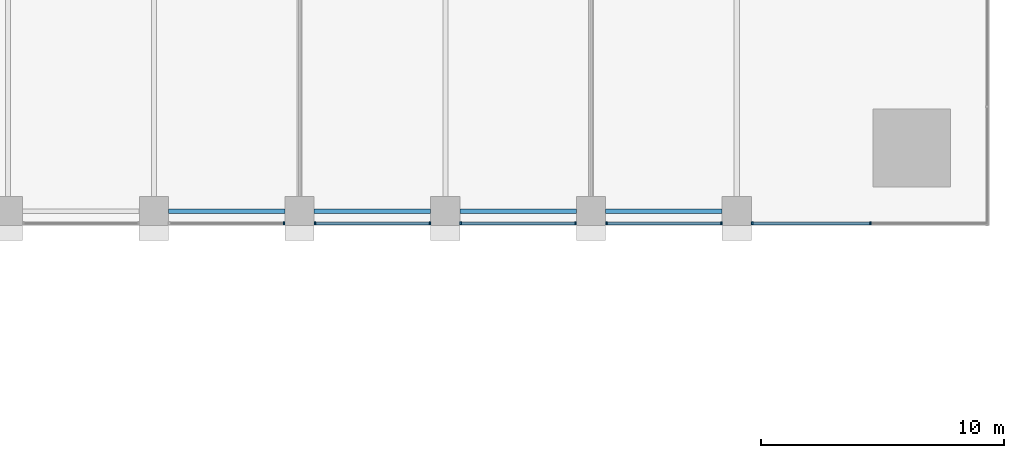
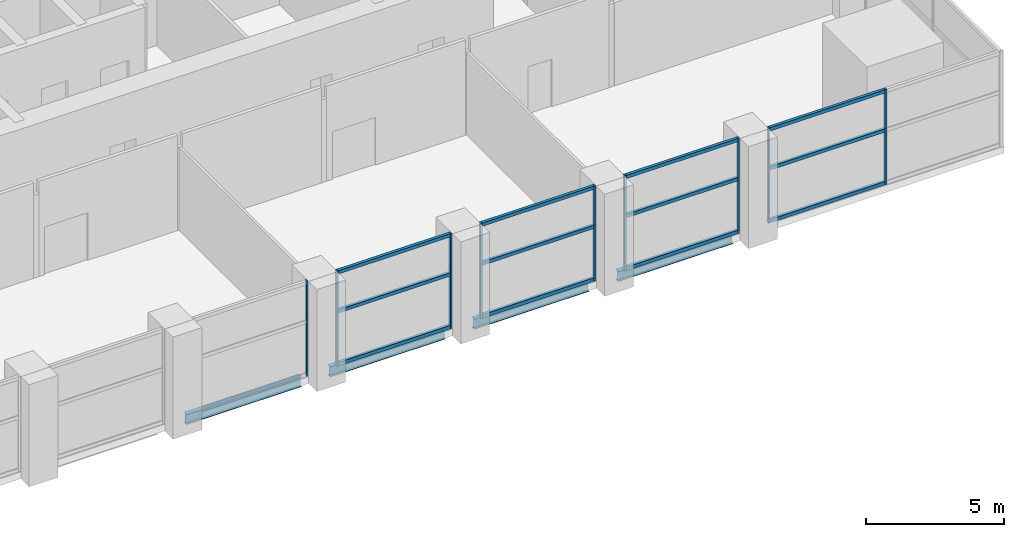
# One storey, part 4 of 25: 21 members, 4 beams, 5 elements without a shape of their own.
"""IFC4 building model written with IfcOpenShell, lengths in metres."""

from ifc_helpers import new_model, si_unit, direction, frame, origin, origin_2d, place, context, subcontext, project, spatial, rectangle, i_section, extrude, material, material_profile, profile_set, type_object, element, aggregate, save


model = new_model("IFC4")

# Units and contexts
model_context = context("Model", 3, precision=1e-05, world=origin(), true_north=direction((0.0, 1.0)))
body_context = subcontext(model_context, "Body", "Model", "MODEL_VIEW")
ifc_project = project(units=[si_unit("LENGTHUNIT", "METRE"), si_unit("AREAUNIT", "SQUARE_METRE"), si_unit("VOLUMEUNIT", "CUBIC_METRE"), si_unit("PLANEANGLEUNIT", "RADIAN"), si_unit("MASSUNIT", "GRAM", prefix="KILO")], contexts=[model_context])

# Site, building, storey
site_placement = place(None, origin())
site = spatial("IfcSite", under=ifc_project, at=site_placement, CompositionType="ELEMENT")
building_placement = place(site_placement, origin())
building = spatial("IfcBuilding", under=site, at=building_placement, Name="Amberfall Residences", CompositionType="ELEMENT")
storey_placement = place(building_placement, frame((0.0, 0.0, 10.0)))
storey = spatial("IfcBuildingStorey", under=building, at=storey_placement, Name="L02", CompositionType="ELEMENT", Elevation=10.0)

# Curtain wall, member
ifc_material_1 = material(Name="Bronze anodised aluminium and glass", Category="aluminium")
curtain_wall_type = type_object("IfcCurtainWallType", Name="Curtain wall CW4 podium storefront", PredefinedType="USERDEFINED", material=ifc_material_1)
curtain_wall_1_placement = place(storey_placement, origin())
curtain_wall_1 = element("IfcCurtainWall", 1, at=curtain_wall_1_placement, inside=storey, type_object=curtain_wall_type, Name="Storefront L02 S3", ObjectType="UNITISED CURTAIN WALL", PredefinedType="USERDEFINED")
ifc_material_2 = material(Name="Bronze anodised aluminium", Category="aluminium")
ifc_material_profile_1 = material_profile(ifc_material_2, rectangle(XDim=0.1201171875, YDim=0.070068359375, at=origin_2d()), Name="CW4 mullion 70 x 120 bronze")
ifc_profile_set_1 = profile_set([ifc_material_profile_1], Name="Bronze anodised aluminium")
member_type_1 = type_object("IfcMemberType", Name="CW4 mullion 70 x 120 bronze", PredefinedType="MULLION", material=ifc_profile_set_1)
member_1_placement = place(storey_placement, frame((70.965087890625, 20.10009765625, 0.0), z_axis=(0.0, 0.0, 1.0), x_axis=(0.0, 1.0, 0.0)))
member_1 = element("IfcMember", 2, at=member_1_placement, type_object=member_type_1, Name="CW4 mullion 2", PredefinedType="MULLION", context=body_context, shape_type="SweptSolid", body=[
    extrude(rectangle(XDim=0.1201171875, YDim=0.070068359375, at=origin_2d()), origin(), (0.0, 0.0, 1.0), 4.199951171875),
])
aggregate(curtain_wall_1, [member_1])

# Curtain wall, members
curtain_wall_2_placement = place(storey_placement, origin())
curtain_wall_2 = element("IfcCurtainWall", 3, at=curtain_wall_2_placement, inside=storey, type_object=curtain_wall_type, Name="Storefront L02 S4", ObjectType="UNITISED CURTAIN WALL", PredefinedType="USERDEFINED")
member_2_placement = place(storey_placement, frame((72.235107421875, 20.10009765625, 0.0), z_axis=(0.0, 0.0, 1.0), x_axis=(0.0, 1.0, 0.0)))
member_2 = element("IfcMember", 4, at=member_2_placement, type_object=member_type_1, Name="CW4 mullion 1", PredefinedType="MULLION", context=body_context, shape_type="SweptSolid", body=[
    extrude(rectangle(XDim=0.1201171875, YDim=0.070068359375, at=origin_2d()), origin(), (0.0, 0.0, 1.0), 4.199951171875),
])
member_3_placement = place(storey_placement, frame((76.965087890625, 20.10009765625, 0.0), z_axis=(0.0, 0.0, 1.0), x_axis=(0.0, 1.0, 0.0)))
member_3 = element("IfcMember", 5, at=member_3_placement, type_object=member_type_1, Name="CW4 mullion 2", PredefinedType="MULLION", context=body_context, shape_type="SweptSolid", body=[
    extrude(rectangle(XDim=0.1201171875, YDim=0.070068359375, at=origin_2d()), origin(), (0.0, 0.0, 1.0), 4.199951171875),
])

curtain_wall_3_placement = place(storey_placement, origin())
curtain_wall_3 = element("IfcCurtainWall", 6, at=curtain_wall_3_placement, inside=storey, type_object=curtain_wall_type, Name="Storefront L02 S5", ObjectType="UNITISED CURTAIN WALL", PredefinedType="USERDEFINED")
member_4_placement = place(storey_placement, frame((78.235107421875, 20.10009765625, 0.0), z_axis=(0.0, 0.0, 1.0), x_axis=(0.0, 1.0, 0.0)))
member_4 = element("IfcMember", 7, at=member_4_placement, type_object=member_type_1, Name="CW4 mullion 1", PredefinedType="MULLION", context=body_context, shape_type="SweptSolid", body=[
    extrude(rectangle(XDim=0.1201171875, YDim=0.070068359375, at=origin_2d()), origin(), (0.0, 0.0, 1.0), 4.199951171875),
])
member_5_placement = place(storey_placement, frame((82.965087890625, 20.10009765625, 0.0), z_axis=(0.0, 0.0, 1.0), x_axis=(0.0, 1.0, 0.0)))
member_5 = element("IfcMember", 8, at=member_5_placement, type_object=member_type_1, Name="CW4 mullion 2", PredefinedType="MULLION", context=body_context, shape_type="SweptSolid", body=[
    extrude(rectangle(XDim=0.1201171875, YDim=0.070068359375, at=origin_2d()), origin(), (0.0, 0.0, 1.0), 4.199951171875),
])

curtain_wall_4_placement = place(storey_placement, origin())
curtain_wall_4 = element("IfcCurtainWall", 9, at=curtain_wall_4_placement, inside=storey, type_object=curtain_wall_type, Name="Storefront L02 S6", ObjectType="UNITISED CURTAIN WALL", PredefinedType="USERDEFINED")
member_6_placement = place(storey_placement, frame((84.235107421875, 20.10009765625, 0.0), z_axis=(0.0, 0.0, 1.0), x_axis=(0.0, 1.0, 0.0)))
member_6 = element("IfcMember", 10, at=member_6_placement, type_object=member_type_1, Name="CW4 mullion 1", PredefinedType="MULLION", context=body_context, shape_type="SweptSolid", body=[
    extrude(rectangle(XDim=0.1201171875, YDim=0.070068359375, at=origin_2d()), origin(), (0.0, 0.0, 1.0), 4.199951171875),
])
member_7_placement = place(storey_placement, frame((88.965087890625, 20.10009765625, 0.0), z_axis=(0.0, 0.0, 1.0), x_axis=(0.0, 1.0, 0.0)))
member_7 = element("IfcMember", 11, at=member_7_placement, type_object=member_type_1, Name="CW4 mullion 2", PredefinedType="MULLION", context=body_context, shape_type="SweptSolid", body=[
    extrude(rectangle(XDim=0.1201171875, YDim=0.070068359375, at=origin_2d()), origin(), (0.0, 0.0, 1.0), 4.199951171875),
])

curtain_wall_5_placement = place(storey_placement, origin())
curtain_wall_5 = element("IfcCurtainWall", 12, at=curtain_wall_5_placement, inside=storey, type_object=curtain_wall_type, Name="Storefront L02 S7", ObjectType="UNITISED CURTAIN WALL", PredefinedType="USERDEFINED")
member_8_placement = place(storey_placement, frame((90.235107421875, 20.10009765625, 0.0), z_axis=(0.0, 0.0, 1.0), x_axis=(0.0, 1.0, 0.0)))
member_8 = element("IfcMember", 13, at=member_8_placement, type_object=member_type_1, Name="CW4 mullion 1", PredefinedType="MULLION", context=body_context, shape_type="SweptSolid", body=[
    extrude(rectangle(XDim=0.1201171875, YDim=0.070068359375, at=origin_2d()), origin(), (0.0, 0.0, 1.0), 4.199951171875),
])
member_9_placement = place(storey_placement, frame((95.10009765625, 20.10009765625, 0.0), z_axis=(0.0, 0.0, 1.0), x_axis=(0.0, 1.0, 0.0)))
member_9 = element("IfcMember", 14, at=member_9_placement, type_object=member_type_1, Name="CW4 mullion 2", PredefinedType="MULLION", context=body_context, shape_type="SweptSolid", body=[
    extrude(rectangle(XDim=0.1201171875, YDim=0.070068359375, at=origin_2d()), origin(), (0.0, 0.0, 1.0), 4.199951171875),
])

# Member
ifc_material_profile_2 = material_profile(ifc_material_2, rectangle(XDim=0.1201171875, YDim=0.14990234375, at=origin_2d()), Name="CW4 transom 120 x 150 bronze")
ifc_profile_set_2 = profile_set([ifc_material_profile_2], Name="Bronze anodised aluminium")
member_type_2 = type_object("IfcMemberType", Name="CW4 transom 120 x 150 bronze", PredefinedType="USERDEFINED", material=ifc_profile_set_2)
member_10_placement = place(storey_placement, frame((72.27001953125, 20.10009765625, 0.074951171875), z_axis=(1.0, 0.0, 0.0), x_axis=(0.0, 1.0, 0.0)))
member_10 = element("IfcMember", 15, at=member_10_placement, type_object=member_type_2, Name="CW4 transom 1.1", ObjectType="TRANSOM", PredefinedType="USERDEFINED", context=body_context, shape_type="SweptSolid", body=[
    extrude(rectangle(XDim=0.1201171875, YDim=0.14990234375, at=origin_2d()), origin(), (0.0, 0.0, 1.0), 4.659912109375),
])

member_11_placement = place(storey_placement, frame((72.27001953125, 20.10009765625, 2.39990234375), z_axis=(1.0, 0.0, 0.0), x_axis=(0.0, 1.0, 0.0)))
member_11 = element("IfcMember", 16, at=member_11_placement, type_object=member_type_2, Name="CW4 transom 1.2", ObjectType="TRANSOM", PredefinedType="USERDEFINED", context=body_context, shape_type="SweptSolid", body=[
    extrude(rectangle(XDim=0.1201171875, YDim=0.14990234375, at=origin_2d()), origin(), (0.0, 0.0, 1.0), 4.659912109375),
])

member_12_placement = place(storey_placement, frame((72.27001953125, 20.10009765625, 4.125), z_axis=(1.0, 0.0, 0.0), x_axis=(0.0, 1.0, 0.0)))
member_12 = element("IfcMember", 17, at=member_12_placement, type_object=member_type_2, Name="CW4 transom 1.3", ObjectType="TRANSOM", PredefinedType="USERDEFINED", context=body_context, shape_type="SweptSolid", body=[
    extrude(rectangle(XDim=0.1201171875, YDim=0.14990234375, at=origin_2d()), origin(), (0.0, 0.0, 1.0), 4.659912109375),
])

aggregate(curtain_wall_2, [member_2, member_3, member_10, member_11, member_12])

member_13_placement = place(storey_placement, frame((78.27001953125, 20.10009765625, 0.074951171875), z_axis=(1.0, 0.0, 0.0), x_axis=(0.0, 1.0, 0.0)))
member_13 = element("IfcMember", 18, at=member_13_placement, type_object=member_type_2, Name="CW4 transom 1.1", ObjectType="TRANSOM", PredefinedType="USERDEFINED", context=body_context, shape_type="SweptSolid", body=[
    extrude(rectangle(XDim=0.1201171875, YDim=0.14990234375, at=origin_2d()), origin(), (0.0, 0.0, 1.0), 4.659912109375),
])

member_14_placement = place(storey_placement, frame((78.27001953125, 20.10009765625, 2.39990234375), z_axis=(1.0, 0.0, 0.0), x_axis=(0.0, 1.0, 0.0)))
member_14 = element("IfcMember", 19, at=member_14_placement, type_object=member_type_2, Name="CW4 transom 1.2", ObjectType="TRANSOM", PredefinedType="USERDEFINED", context=body_context, shape_type="SweptSolid", body=[
    extrude(rectangle(XDim=0.1201171875, YDim=0.14990234375, at=origin_2d()), origin(), (0.0, 0.0, 1.0), 4.659912109375),
])

member_15_placement = place(storey_placement, frame((78.27001953125, 20.10009765625, 4.125), z_axis=(1.0, 0.0, 0.0), x_axis=(0.0, 1.0, 0.0)))
member_15 = element("IfcMember", 20, at=member_15_placement, type_object=member_type_2, Name="CW4 transom 1.3", ObjectType="TRANSOM", PredefinedType="USERDEFINED", context=body_context, shape_type="SweptSolid", body=[
    extrude(rectangle(XDim=0.1201171875, YDim=0.14990234375, at=origin_2d()), origin(), (0.0, 0.0, 1.0), 4.659912109375),
])

aggregate(curtain_wall_3, [member_4, member_5, member_13, member_14, member_15])

member_16_placement = place(storey_placement, frame((84.27001953125, 20.10009765625, 0.074951171875), z_axis=(1.0, 0.0, 0.0), x_axis=(0.0, 1.0, 0.0)))
member_16 = element("IfcMember", 21, at=member_16_placement, type_object=member_type_2, Name="CW4 transom 1.1", ObjectType="TRANSOM", PredefinedType="USERDEFINED", context=body_context, shape_type="SweptSolid", body=[
    extrude(rectangle(XDim=0.1201171875, YDim=0.14990234375, at=origin_2d()), origin(), (0.0, 0.0, 1.0), 4.659912109375),
])

member_17_placement = place(storey_placement, frame((84.27001953125, 20.10009765625, 2.39990234375), z_axis=(1.0, 0.0, 0.0), x_axis=(0.0, 1.0, 0.0)))
member_17 = element("IfcMember", 22, at=member_17_placement, type_object=member_type_2, Name="CW4 transom 1.2", ObjectType="TRANSOM", PredefinedType="USERDEFINED", context=body_context, shape_type="SweptSolid", body=[
    extrude(rectangle(XDim=0.1201171875, YDim=0.14990234375, at=origin_2d()), origin(), (0.0, 0.0, 1.0), 4.659912109375),
])

member_18_placement = place(storey_placement, frame((84.27001953125, 20.10009765625, 4.125), z_axis=(1.0, 0.0, 0.0), x_axis=(0.0, 1.0, 0.0)))
member_18 = element("IfcMember", 23, at=member_18_placement, type_object=member_type_2, Name="CW4 transom 1.3", ObjectType="TRANSOM", PredefinedType="USERDEFINED", context=body_context, shape_type="SweptSolid", body=[
    extrude(rectangle(XDim=0.1201171875, YDim=0.14990234375, at=origin_2d()), origin(), (0.0, 0.0, 1.0), 4.659912109375),
])

aggregate(curtain_wall_4, [member_6, member_7, member_16, member_17, member_18])

member_19_placement = place(storey_placement, frame((90.27001953125, 20.10009765625, 0.074951171875), z_axis=(1.0, 0.0, 0.0), x_axis=(0.0, 1.0, 0.0)))
member_19 = element("IfcMember", 24, at=member_19_placement, type_object=member_type_2, Name="CW4 transom 1.1", ObjectType="TRANSOM", PredefinedType="USERDEFINED", context=body_context, shape_type="SweptSolid", body=[
    extrude(rectangle(XDim=0.1201171875, YDim=0.14990234375, at=origin_2d()), origin(), (0.0, 0.0, 1.0), 4.794921875),
])

member_20_placement = place(storey_placement, frame((90.27001953125, 20.10009765625, 2.39990234375), z_axis=(1.0, 0.0, 0.0), x_axis=(0.0, 1.0, 0.0)))
member_20 = element("IfcMember", 25, at=member_20_placement, type_object=member_type_2, Name="CW4 transom 1.2", ObjectType="TRANSOM", PredefinedType="USERDEFINED", context=body_context, shape_type="SweptSolid", body=[
    extrude(rectangle(XDim=0.1201171875, YDim=0.14990234375, at=origin_2d()), origin(), (0.0, 0.0, 1.0), 4.794921875),
])

member_21_placement = place(storey_placement, frame((90.27001953125, 20.10009765625, 4.125), z_axis=(1.0, 0.0, 0.0), x_axis=(0.0, 1.0, 0.0)))
member_21 = element("IfcMember", 26, at=member_21_placement, type_object=member_type_2, Name="CW4 transom 1.3", ObjectType="TRANSOM", PredefinedType="USERDEFINED", context=body_context, shape_type="SweptSolid", body=[
    extrude(rectangle(XDim=0.1201171875, YDim=0.14990234375, at=origin_2d()), origin(), (0.0, 0.0, 1.0), 4.794921875),
])

aggregate(curtain_wall_5, [member_8, member_9, member_19, member_20, member_21])

# Beams
ifc_material_3 = material(Name="Steel S355", Category="steel")
ifc_material_profile_3 = material_profile(ifc_material_3, i_section(OverallWidth=0.18994140625, OverallDepth=0.453369140625, WebThickness=0.008544921875, FlangeThickness=0.0126953125, FilletRadius=0.01025390625, at=origin_2d()), Name="UB 457x191x67")
ifc_profile_set_3 = profile_set([ifc_material_profile_3], Name="Steel S355")
beam_type = type_object("IfcBeamType", Name="Edge beam UB 457x191x67", PredefinedType="SPANDREL", material=ifc_profile_set_3)
for number, where, z_axis, x_axis, name in (
    (27, (66.199951171875, 20.60009765625, -0.526611328125), (1.0, 0.0, 0.0), (0.0, 1.0, 0.0), "Edge beam B1 L02 02"),
    (28, (72.199951171875, 20.60009765625, -0.526611328125), (1.0, 0.0, 0.0), (0.0, 1.0, 0.0), "Edge beam B1 L02 03"),
    (29, (78.199951171875, 20.60009765625, -0.526611328125), (1.0, 0.0, 0.0), (0.0, 1.0, 0.0), "Edge beam B1 L02 04"),
    (30, (84.199951171875, 20.60009765625, -0.526611328125), (1.0, 0.0, 0.0), (0.0, 1.0, 0.0), "Edge beam B1 L02 05"),
):
    element("IfcBeam", number, at=place(storey_placement, frame(where, z_axis=z_axis, x_axis=x_axis)), inside=storey, type_object=beam_type, Name=name, PredefinedType="SPANDREL", context=body_context, shape_type="SweptSolid", body=[
        extrude(i_section(OverallWidth=0.18994140625, OverallDepth=0.453369140625, WebThickness=0.008544921875, FlangeThickness=0.0126953125, FilletRadius=0.01025390625, at=origin_2d()), origin(), (0.0, 0.0, 1.0), 4.800048828125),
    ])

save(model, "model.ifc")
